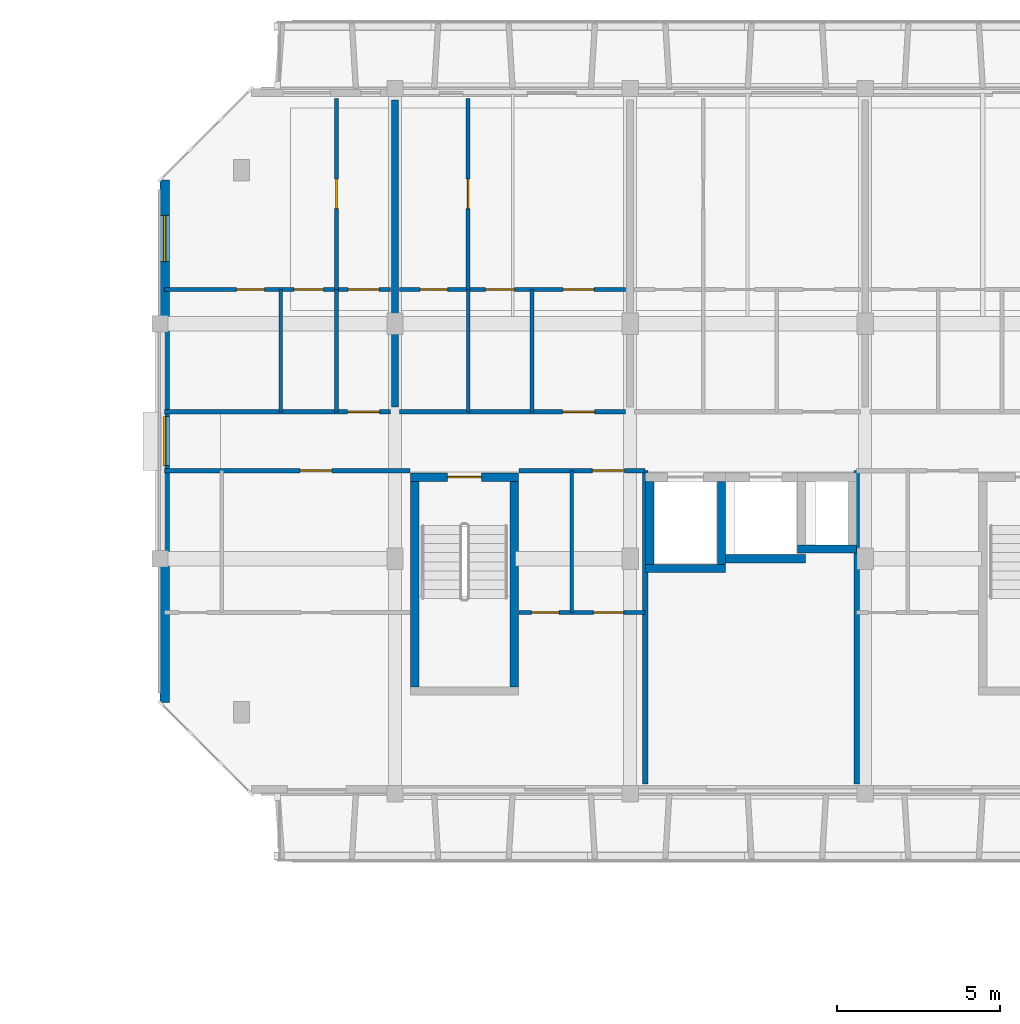
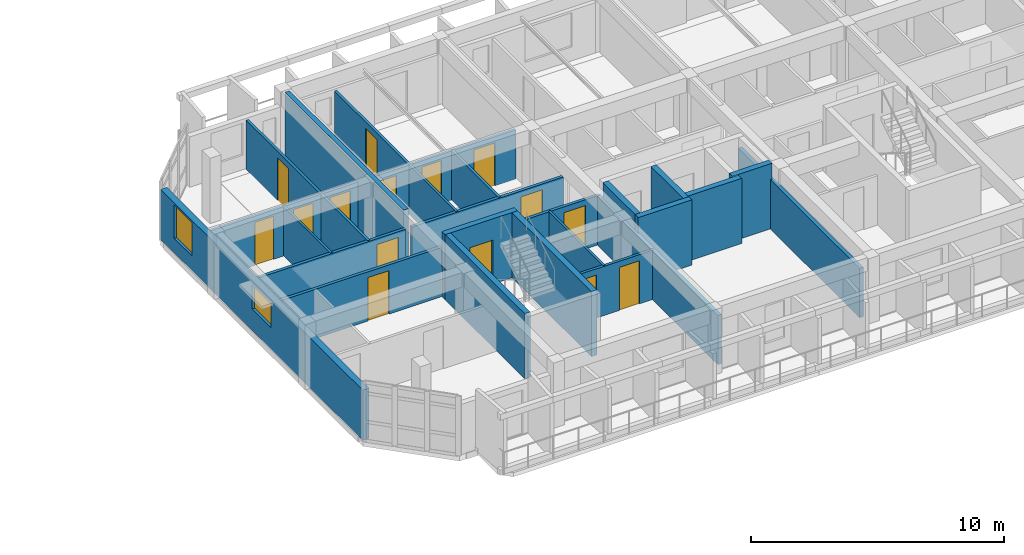
# One storey, part 28 of 46: 26 walls, 15 doors, 2 windows, 17 openings.
"""IFC4 building model written with IfcOpenShell, lengths in metres."""

from ifc_helpers import new_model, si_unit, direction, frame, frame_2d, origin, place, context, subcontext, project, spatial, rectangle, extrude, material, layer, layer_set, type_object, element, fill, save


model = new_model("IFC4")

# Units and contexts
model_context = context("Model", 3, precision=1e-05, world=origin(), true_north=direction((0.0, 1.0)))
body_context = subcontext(model_context, "Body", "Model", "MODEL_VIEW")
ifc_project = project(units=[si_unit("LENGTHUNIT", "METRE"), si_unit("AREAUNIT", "SQUARE_METRE"), si_unit("VOLUMEUNIT", "CUBIC_METRE"), si_unit("PLANEANGLEUNIT", "RADIAN"), si_unit("MASSUNIT", "GRAM", prefix="KILO")], contexts=[model_context])

# Site, building, storey
site_placement = place(None, origin())
site = spatial("IfcSite", under=ifc_project, at=site_placement, CompositionType="ELEMENT")
building_placement = place(site_placement, origin())
building = spatial("IfcBuilding", under=site, at=building_placement, Name="Ochrevale Crest", CompositionType="ELEMENT")
storey_placement = place(building_placement, frame((0.0, 0.0, 24.449951171875)))
storey = spatial("IfcBuildingStorey", under=building, at=storey_placement, Name="L07", CompositionType="ELEMENT", Elevation=24.449951171875)

# Wall, opening, door
ifc_material_1 = material(Name="Gypsum plasterboard", Category="gypsum")
ifc_layer_1 = layer(ifc_material_1, 0.139892578125)
ifc_layer_set_1 = layer_set([ifc_layer_1], Name="Gypsum plasterboard")
wall_type_1 = type_object("IfcWallType", Name="WL-COR-140", PredefinedType="PARTITIONING", material=ifc_layer_set_1)
wall_1_placement = place(storey_placement, frame((129.739990234375, 83.699951171875, 0.0), z_axis=(0.0, 0.0, 1.0), x_axis=(1.0, 0.0, 0.0)))
wall_1 = element("IfcWall", 1, at=wall_1_placement, inside=storey, type_object=wall_type_1, Name="Apartment D-L07-U1 corridor wall", PredefinedType="PARTITIONING", context=body_context, shape_type="SweptSolid", body=[
    extrude(rectangle(XDim=6.919921875, YDim=0.139892578125, at=frame_2d((3.4599609375, 0.0))), origin(), (0.0, 0.0, 1.0), 2.380126953125),
])
opening_1_placement = place(wall_1_placement, frame((6.5849609375, 0.0, 0.0), z_axis=(0.0, 0.0, 1.0), x_axis=(-1.0, 0.0, 0.0)))
opening_1 = element("IfcOpeningElement", 2, at=opening_1_placement, cuts=wall_1, Name="Opening FD01", PredefinedType="OPENING", context=body_context, shape_type="SweptSolid", body=[
    extrude(rectangle(XDim=0.97998046875, YDim=2.10009765625, at=frame_2d((0.489990234375, 1.050048828125))), frame((0.0, 0.080078125, 0.0), z_axis=(0.0, -1.0, 0.0), x_axis=(1.0, 0.0, 0.0)), (0.0, 0.0, 1.0), 0.159912109375),
])
ifc_material_2 = material(Name="Solid-core FSC hardwood", Category="wood")
door_type_1 = type_object("IfcDoorType", Name="DR-APT-950", OperationType="NOTDEFINED", PredefinedType="DOOR", material=ifc_material_2)
door_1_placement = place(opening_1_placement, origin())
door_1 = element("IfcDoor", 3, at=door_1_placement, inside=storey, type_object=door_type_1, Name="Apartment D-L07-U1 entrance door", OperationType="SINGLE_SWING_RIGHT", OverallHeight=2.10009765625, OverallWidth=0.97998046875, PredefinedType="DOOR", context=body_context, shape_type="SweptSolid", body=[
    extrude(rectangle(XDim=0.97998046875, YDim=2.10009765625, at=frame_2d((0.489990234375, 1.050048828125))), frame((0.0, 0.02490234375, 0.0), z_axis=(0.0, -1.0, 0.0), x_axis=(1.0, 0.0, 0.0)), (0.0, 0.0, 1.0), 0.050048828125),
])
fill(opening_1, door_1)

wall_2_placement = place(storey_placement, frame((136.93994140625, 83.699951171875, 0.0), z_axis=(0.0, 0.0, 1.0), x_axis=(1.0, 0.0, 0.0)))
wall_2 = element("IfcWall", 4, at=wall_2_placement, inside=storey, type_object=wall_type_1, Name="Apartment D-L07-U2 corridor wall", PredefinedType="PARTITIONING", context=body_context, shape_type="SweptSolid", body=[
    extrude(rectangle(XDim=6.920166015625, YDim=0.139892578125, at=frame_2d((3.4599609375, 0.0))), origin(), (0.0, 0.0, 1.0), 2.380126953125),
])
opening_2_placement = place(wall_2_placement, frame((4.9951171875, 0.0, 0.0)))
opening_2 = element("IfcOpeningElement", 5, at=opening_2_placement, cuts=wall_2, Name="Opening FD01", PredefinedType="OPENING", context=body_context, shape_type="SweptSolid", body=[
    extrude(rectangle(XDim=0.97998046875, YDim=2.10009765625, at=frame_2d((0.489990234375, 1.050048828125))), frame((0.0, 0.080078125, 0.0), z_axis=(0.0, -1.0, 0.0), x_axis=(1.0, 0.0, 0.0)), (0.0, 0.0, 1.0), 0.159912109375),
])
door_2_placement = place(opening_2_placement, origin())
door_2 = element("IfcDoor", 6, at=door_2_placement, inside=storey, type_object=door_type_1, Name="Apartment D-L07-U2 entrance door", OperationType="SINGLE_SWING_LEFT", OverallHeight=2.10009765625, OverallWidth=0.97998046875, PredefinedType="DOOR", context=body_context, shape_type="SweptSolid", body=[
    extrude(rectangle(XDim=0.97998046875, YDim=2.10009765625, at=frame_2d((0.489990234375, 1.050048828125))), frame((0.0, 0.02490234375, 0.0), z_axis=(0.0, -1.0, 0.0), x_axis=(1.0, 0.0, 0.0)), (0.0, 0.0, 1.0), 0.050048828125),
])
fill(opening_2, door_2)

wall_3_placement = place(storey_placement, frame((129.739990234375, 81.89990234375, 0.0), z_axis=(0.0, 0.0, 1.0), x_axis=(1.0, 0.0, 0.0)))
wall_3 = element("IfcWall", 7, at=wall_3_placement, inside=storey, type_object=wall_type_1, Name="Suite D-L07-CW corridor wall", PredefinedType="PARTITIONING", context=body_context, shape_type="SweptSolid", body=[
    extrude(rectangle(XDim=7.52001953125, YDim=0.139892578125, at=frame_2d((3.760009765625, 0.0))), origin(), (0.0, 0.0, 1.0), 2.380126953125),
])
opening_3_placement = place(wall_3_placement, frame((5.125, 0.0, 0.0), z_axis=(0.0, 0.0, 1.0), x_axis=(-1.0, 0.0, 0.0)))
opening_3 = element("IfcOpeningElement", 8, at=opening_3_placement, cuts=wall_3, Name="Opening FD01", PredefinedType="OPENING", context=body_context, shape_type="SweptSolid", body=[
    extrude(rectangle(XDim=0.97998046875, YDim=2.10009765625, at=frame_2d((0.489990234375, 1.050048828125))), frame((0.0, 0.080078125, 0.0), z_axis=(0.0, -1.0, 0.0), x_axis=(1.0, 0.0, 0.0)), (0.0, 0.0, 1.0), 0.159912109375),
])
door_3_placement = place(opening_3_placement, origin())
door_3 = element("IfcDoor", 9, at=door_3_placement, inside=storey, type_object=door_type_1, Name="Suite D-L07-CW entrance door", OperationType="SINGLE_SWING_RIGHT", OverallHeight=2.10009765625, OverallWidth=0.97998046875, PredefinedType="DOOR", context=body_context, shape_type="SweptSolid", body=[
    extrude(rectangle(XDim=0.97998046875, YDim=2.10009765625, at=frame_2d((0.489990234375, 1.050048828125))), frame((0.0, 0.02490234375, 0.0), z_axis=(0.0, -1.0, 0.0), x_axis=(1.0, 0.0, 0.0)), (0.0, 0.0, 1.0), 0.050048828125),
])
fill(opening_3, door_3)

wall_4_placement = place(storey_placement, frame((140.590087890625, 81.89990234375, 0.0), z_axis=(0.0, 0.0, 1.0), x_axis=(1.0, 0.0, 0.0)))
wall_4 = element("IfcWall", 10, at=wall_4_placement, inside=storey, type_object=wall_type_1, Name="Suite D-L07-MW corridor wall", PredefinedType="PARTITIONING", context=body_context, shape_type="SweptSolid", body=[
    extrude(rectangle(XDim=3.869873046875, YDim=0.139892578125, at=frame_2d((1.93505859375, 0.0))), origin(), (0.0, 0.0, 1.0), 2.380126953125),
])
opening_4_placement = place(wall_4_placement, frame((2.2578125, 0.0, 0.0)))
opening_4 = element("IfcOpeningElement", 11, at=opening_4_placement, cuts=wall_4, Name="Opening FD01", PredefinedType="OPENING", context=body_context, shape_type="SweptSolid", body=[
    extrude(rectangle(XDim=0.97998046875, YDim=2.10009765625, at=frame_2d((0.489990234375, 1.050048828125))), frame((0.0, 0.080078125, 0.0), z_axis=(0.0, -1.0, 0.0), x_axis=(1.0, 0.0, 0.0)), (0.0, 0.0, 1.0), 0.159912109375),
])
door_4_placement = place(opening_4_placement, origin())
door_4 = element("IfcDoor", 12, at=door_4_placement, inside=storey, type_object=door_type_1, Name="Suite D-L07-MW entrance door", OperationType="SINGLE_SWING_LEFT", OverallHeight=2.10009765625, OverallWidth=0.97998046875, PredefinedType="DOOR", context=body_context, shape_type="SweptSolid", body=[
    extrude(rectangle(XDim=0.97998046875, YDim=2.10009765625, at=frame_2d((0.489990234375, 1.050048828125))), frame((0.0, 0.02490234375, 0.0), z_axis=(0.0, -1.0, 0.0), x_axis=(1.0, 0.0, 0.0)), (0.0, 0.0, 1.0), 0.050048828125),
])
fill(opening_4, door_4)

ifc_material_3 = material(Name="Precast concrete C50/60", Category="concrete")
ifc_layer_2 = layer(ifc_material_3, 0.2548828125)
ifc_layer_set_2 = layer_set([ifc_layer_2], Name="Precast concrete C50/60")
wall_type_2 = type_object("IfcWallType", Name="WL-CORE-255", PredefinedType="SHEAR", material=ifc_layer_set_2)
wall_5_placement = place(storey_placement, frame((137.2724609375, 81.699951171875, 0.0), z_axis=(0.0, 0.0, 1.0), x_axis=(1.0, 0.0, 0.0)))
wall_5 = element("IfcWall", 13, at=wall_5_placement, inside=storey, type_object=wall_type_2, Name="Block D L07 Stair 1 precast core shear wall N", PredefinedType="SHEAR", context=body_context, shape_type="SweptSolid", body=[
    extrude(rectangle(XDim=3.304931640625, YDim=0.2548828125, at=frame_2d((1.65234375, 0.0))), origin(), (0.0, 0.0, 1.0), 3.150146484375),
])
opening_5_placement = place(wall_5_placement, frame((2.177490234375, 0.0, 0.0), z_axis=(0.0, 0.0, 1.0), x_axis=(-1.0, 0.0, 0.0)))
opening_5 = element("IfcOpeningElement", 14, at=opening_5_placement, cuts=wall_5, Name="Opening FD03", PredefinedType="OPENING", context=body_context, shape_type="SweptSolid", body=[
    extrude(rectangle(XDim=1.050048828125, YDim=2.1201171875, at=frame_2d((0.52490234375, 1.06005859375))), frame((0.0, 0.137451171875, 0.0), z_axis=(0.0, -1.0, 0.0), x_axis=(1.0, 0.0, 0.0)), (0.0, 0.0, 1.0), 0.27490234375),
])
door_type_2 = type_object("IfcDoorType", Name="DR-ST-1050", OperationType="NOTDEFINED", PredefinedType="DOOR", material=ifc_material_2)
door_5_placement = place(opening_5_placement, origin())
door_5 = element("IfcDoor", 15, at=door_5_placement, inside=storey, type_object=door_type_2, Name="Block D L07 fire stair 1 door", OperationType="SINGLE_SWING_RIGHT", OverallHeight=2.1201171875, OverallWidth=1.050048828125, PredefinedType="DOOR", context=body_context, shape_type="SweptSolid", body=[
    extrude(rectangle(XDim=1.050048828125, YDim=2.1201171875, at=frame_2d((0.52490234375, 1.06005859375))), frame((0.0, 0.02490234375, 0.0), z_axis=(0.0, -1.0, 0.0), x_axis=(1.0, 0.0, 0.0)), (0.0, 0.0, 1.0), 0.050048828125),
])
fill(opening_5, door_5)

# Walls
for number, where, z_axis, x_axis, name in (
    (16, (137.39990234375, 75.277587890625, 0.0), (0.0, 0.0, 1.0), (0.0, 1.0, 0.0), "Block D L07 Stair 1 precast core shear wall W"),
    (17, (140.449951171875, 75.277587890625, 0.0), (0.0, 0.0, 1.0), (0.0, 1.0, 0.0), "Block D L07 Stair 1 precast core shear wall E"),
):
    element("IfcWall", number, at=place(storey_placement, frame(where, z_axis=z_axis, x_axis=x_axis)), inside=storey, type_object=wall_type_2, Name=name, PredefinedType="SHEAR", context=body_context, shape_type="SweptSolid", body=[
        extrude(rectangle(XDim=6.294921875, YDim=0.2548828125, at=frame_2d((3.1474609375, 0.0))), origin(), (0.0, 0.0, 1.0), 3.150146484375),
    ])
wall_6_placement = place(storey_placement, frame((144.472412109375, 78.89990234375, 0.0), z_axis=(0.0, 0.0, 1.0), x_axis=(1.0, 0.0, 0.0)))
element("IfcWall", 18, at=wall_6_placement, inside=storey, type_object=wall_type_2, Name="Block D L07 Lift 1 precast shaft shear wall S", PredefinedType="SHEAR", context=body_context, shape_type="SweptSolid", body=[
    extrude(rectangle(XDim=2.455078125, YDim=0.2548828125, at=frame_2d((1.2275390625, 0.0))), origin(), (0.0, 0.0, 1.0), 3.150146484375),
])
for number, where, z_axis, x_axis, name in (
    (19, (144.60009765625, 79.027587890625, 0.0), (0.0, 0.0, 1.0), (0.0, 1.0, 0.0), "Block D L07 Lift 1 precast shaft shear wall W"),
    (20, (146.800048828125, 79.027587890625, 0.0), (0.0, 0.0, 1.0), (0.0, 1.0, 0.0), "Block D L07 Lift 1 precast shaft shear wall E"),
):
    element("IfcWall", number, at=place(storey_placement, frame(where, z_axis=z_axis, x_axis=x_axis)), inside=storey, type_object=wall_type_2, Name=name, PredefinedType="SHEAR", context=body_context, shape_type="SweptSolid", body=[
        extrude(rectangle(XDim=2.544921875, YDim=0.2548828125, at=frame_2d((1.2724609375, 0.0))), origin(), (0.0, 0.0, 1.0), 3.150146484375),
    ])
wall_7_placement = place(storey_placement, frame((146.922607421875, 79.199951171875, 0.0), z_axis=(0.0, 0.0, 1.0), x_axis=(1.0, 0.0, 0.0)))
element("IfcWall", 21, at=wall_7_placement, inside=storey, type_object=wall_type_2, Name="Block D L07 Lift 2 precast shaft shear wall S", PredefinedType="SHEAR", context=body_context, shape_type="SweptSolid", body=[
    extrude(rectangle(XDim=2.454833984375, YDim=0.2548828125, at=frame_2d((1.2275390625, 0.0))), origin(), (0.0, 0.0, 1.0), 3.150146484375),
])
wall_8_placement = place(storey_placement, frame((149.12255859375, 79.5, 0.0), z_axis=(0.0, 0.0, 1.0), x_axis=(1.0, 0.0, 0.0)))
element("IfcWall", 22, at=wall_8_placement, inside=storey, type_object=wall_type_2, Name="Block D L07 services riser shaft core wall S", PredefinedType="SHEAR", context=body_context, shape_type="SweptSolid", body=[
    extrude(rectangle(XDim=1.804931640625, YDim=0.2548828125, at=frame_2d((0.90234375, 0.0))), origin(), (0.0, 0.0, 1.0), 3.150146484375),
])

# Wall, openings, windows
ifc_material_4 = material(Name="Clay face brickwork", Category="masonry")
ifc_layer_3 = layer(ifc_material_4, 0.2900390625)
ifc_layer_set_3 = layer_set([ifc_layer_3], Name="Clay face brickwork")
wall_type_3 = type_object("IfcWallType", Name="WL-EXT-BRICK-290", PredefinedType="SOLIDWALL", material=ifc_layer_set_3)
wall_9_placement = place(storey_placement, frame((129.7451171875, 90.800048828125, 0.0), z_axis=(0.0, 0.0, 1.0), x_axis=(0.0, -1.0, 0.0)))
wall_9 = element("IfcWall", 23, at=wall_9_placement, inside=storey, type_object=wall_type_3, Name="Block D L07 external facade wall E7", PredefinedType="SOLIDWALL", context=body_context, shape_type="SweptSolid", body=[
    extrude(rectangle(XDim=16.0, YDim=0.2900390625, at=frame_2d((8.0, 0.0))), origin(), (0.0, 0.0, 1.0), 2.429931640625),
])
opening_6_placement = place(wall_9_placement, frame((7.25, 0.0, 1.050048828125)))
opening_6 = element("IfcOpeningElement", 24, at=opening_6_placement, cuts=wall_9, Name="Opening W18", PredefinedType="OPENING", context=body_context, shape_type="SweptSolid", body=[
    extrude(rectangle(XDim=1.5, YDim=1.14990234375, at=frame_2d((0.75, 0.574951171875))), frame((0.0, 0.155029296875, 0.0), z_axis=(0.0, -1.0, 0.0), x_axis=(1.0, 0.0, 0.0)), (0.0, 0.0, 1.0), 0.31005859375),
])
opening_7_placement = place(wall_9_placement, frame((1.080078125, 0.0, 0.719970703125)))
opening_7 = element("IfcOpeningElement", 25, at=opening_7_placement, cuts=wall_9, Name="Opening W31", PredefinedType="OPENING", context=body_context, shape_type="SweptSolid", body=[
    extrude(rectangle(XDim=1.419921875, YDim=1.60009765625, at=frame_2d((0.7099609375, 0.800048828125))), frame((0.0, 0.155029296875, 0.0), z_axis=(0.0, -1.0, 0.0), x_axis=(1.0, 0.0, 0.0)), (0.0, 0.0, 1.0), 0.31005859375),
])
ifc_material_5 = material(Name="Anodised aluminium 6063-T5 and low-E double glazing", Category="aluminium")
window_type_1 = type_object("IfcWindowType", Name="WIN-W18", PartitioningType="SINGLE_PANEL", PredefinedType="WINDOW", material=ifc_material_5)
window_1_placement = place(opening_6_placement, origin())
window_1 = element("IfcWindow", 26, at=window_1_placement, inside=storey, type_object=window_type_1, Name="Block D L07 corridor end daylight window W", OverallHeight=1.14990234375, OverallWidth=1.5, PartitioningType="SINGLE_PANEL", PredefinedType="WINDOW", context=body_context, shape_type="SweptSolid", body=[
    extrude(rectangle(XDim=1.5, YDim=1.14990234375, at=frame_2d((0.75, 0.574951171875))), frame((0.0, 0.030029296875, 0.0), z_axis=(0.0, -1.0, 0.0), x_axis=(1.0, 0.0, 0.0)), (0.0, 0.0, 1.0), 0.06005859375),
])
fill(opening_6, window_1)
window_type_2 = type_object("IfcWindowType", Name="WIN-W31", PartitioningType="SINGLE_PANEL", PredefinedType="WINDOW", material=ifc_material_5)
window_2_placement = place(opening_7_placement, origin())
window_2 = element("IfcWindow", 27, at=window_2_placement, inside=storey, type_object=window_type_2, Name="Block D L07 side suite window W", OverallHeight=1.60009765625, OverallWidth=1.419921875, PartitioningType="SINGLE_PANEL", PredefinedType="WINDOW", context=body_context, shape_type="SweptSolid", body=[
    extrude(rectangle(XDim=1.419921875, YDim=1.60009765625, at=frame_2d((0.7099609375, 0.800048828125))), frame((0.0, 0.030029296875, 0.0), z_axis=(0.0, -1.0, 0.0), x_axis=(1.0, 0.0, 0.0)), (0.0, 0.0, 1.0), 0.06005859375),
])
fill(opening_7, window_2)

# Wall
ifc_layer_4 = layer(ifc_material_1, 0.1201171875)
ifc_layer_set_4 = layer_set([ifc_layer_4], Name="Gypsum plasterboard")
wall_type_4 = type_object("IfcWallType", Name="WL-PART-120", PredefinedType="PARTITIONING", material=ifc_layer_set_4)
wall_10_placement = place(storey_placement, frame((135.010009765625, 83.699951171875, 0.0), z_axis=(0.0, 0.0, 1.0), x_axis=(0.0, 1.0, 0.0)))
element("IfcWall", 28, at=wall_10_placement, inside=storey, type_object=wall_type_4, Name="Apartment D-L07-U1 kitchen-foyer wall", PredefinedType="PARTITIONING", context=body_context, shape_type="SweptSolid", body=[
    extrude(rectangle(XDim=3.75, YDim=0.1201171875, at=frame_2d((1.875, 0.0))), origin(), (0.0, 0.0, 1.0), 2.380126953125),
])

# Wall, openings, doors
wall_11_placement = place(storey_placement, frame((129.739990234375, 87.449951171875, 0.0), z_axis=(0.0, 0.0, 1.0), x_axis=(1.0, 0.0, 0.0)))
wall_11 = element("IfcWall", 29, at=wall_11_placement, inside=storey, type_object=wall_type_4, Name="Apartment D-L07-U1 central partition", PredefinedType="PARTITIONING", context=body_context, shape_type="SweptSolid", body=[
    extrude(rectangle(XDim=6.919921875, YDim=0.1201171875, at=frame_2d((3.4599609375, 0.0))), origin(), (0.0, 0.0, 1.0), 2.380126953125),
])
opening_8_placement = place(wall_11_placement, frame((2.2099609375, 0.0, 0.0)))
opening_8 = element("IfcOpeningElement", 30, at=opening_8_placement, cuts=wall_11, Name="Opening ID01", PredefinedType="OPENING", context=body_context, shape_type="SweptSolid", body=[
    extrude(rectangle(XDim=0.85009765625, YDim=2.080078125, at=frame_2d((0.425048828125, 1.0400390625))), frame((0.0, 0.070068359375, 0.0), z_axis=(0.0, -1.0, 0.0), x_axis=(1.0, 0.0, 0.0)), (0.0, 0.0, 1.0), 0.14013671875),
])
opening_9_placement = place(wall_11_placement, frame((4.864990234375, 0.0, 0.0), z_axis=(0.0, 0.0, 1.0), x_axis=(-1.0, 0.0, 0.0)))
opening_9 = element("IfcOpeningElement", 31, at=opening_9_placement, cuts=wall_11, Name="Opening ID02", PredefinedType="OPENING", context=body_context, shape_type="SweptSolid", body=[
    extrude(rectangle(XDim=0.89990234375, YDim=2.080078125, at=frame_2d((0.449951171875, 1.0400390625))), frame((0.0, 0.070068359375, 0.0), z_axis=(0.0, -1.0, 0.0), x_axis=(1.0, 0.0, 0.0)), (0.0, 0.0, 1.0), 0.14013671875),
])
opening_10_placement = place(wall_11_placement, frame((5.6201171875, 0.0, 0.0)))
opening_10 = element("IfcOpeningElement", 32, at=opening_10_placement, cuts=wall_11, Name="Opening ID06", PredefinedType="OPENING", context=body_context, shape_type="SweptSolid", body=[
    extrude(rectangle(XDim=0.949951171875, YDim=2.080078125, at=frame_2d((0.47509765625, 1.0400390625))), frame((0.0, 0.070068359375, 0.0), z_axis=(0.0, -1.0, 0.0), x_axis=(1.0, 0.0, 0.0)), (0.0, 0.0, 1.0), 0.14013671875),
])
door_type_3 = type_object("IfcDoorType", Name="DR-INT-900", OperationType="NOTDEFINED", PredefinedType="DOOR", material=ifc_material_2)
door_6_placement = place(opening_9_placement, origin())
door_6 = element("IfcDoor", 33, at=door_6_placement, inside=storey, type_object=door_type_3, Name="Apartment D-L07-U1 Kitchen door", OperationType="SINGLE_SWING_RIGHT", OverallHeight=2.080078125, OverallWidth=0.89990234375, PredefinedType="DOOR", context=body_context, shape_type="SweptSolid", body=[
    extrude(rectangle(XDim=0.89990234375, YDim=2.080078125, at=frame_2d((0.449951171875, 1.0400390625))), frame((0.0, 0.02490234375, 0.0), z_axis=(0.0, -1.0, 0.0), x_axis=(1.0, 0.0, 0.0)), (0.0, 0.0, 1.0), 0.050048828125),
])
fill(opening_9, door_6)
door_type_4 = type_object("IfcDoorType", Name="DR-INT-950", OperationType="NOTDEFINED", PredefinedType="DOOR", material=ifc_material_2)
door_7_placement = place(opening_10_placement, origin())
door_7 = element("IfcDoor", 34, at=door_7_placement, inside=storey, type_object=door_type_4, Name="Apartment D-L07-U1 Living Foyer door", OperationType="SINGLE_SWING_LEFT", OverallHeight=2.080078125, OverallWidth=0.949951171875, PredefinedType="DOOR", context=body_context, shape_type="SweptSolid", body=[
    extrude(rectangle(XDim=0.949951171875, YDim=2.080078125, at=frame_2d((0.47509765625, 1.0400390625))), frame((0.0, 0.02490234375, 0.0), z_axis=(0.0, -1.0, 0.0), x_axis=(1.0, 0.0, 0.0)), (0.0, 0.0, 1.0), 0.050048828125),
])
fill(opening_10, door_7)
door_type_5 = type_object("IfcDoorType", Name="DR-WC-850", OperationType="NOTDEFINED", PredefinedType="DOOR", material=ifc_material_2)
door_8_placement = place(opening_8_placement, origin())
door_8 = element("IfcDoor", 35, at=door_8_placement, inside=storey, type_object=door_type_5, Name="Apartment D-L07-U1 Bathroom door", OperationType="SINGLE_SWING_LEFT", OverallHeight=2.080078125, OverallWidth=0.85009765625, PredefinedType="DOOR", context=body_context, shape_type="SweptSolid", body=[
    extrude(rectangle(XDim=0.85009765625, YDim=2.080078125, at=frame_2d((0.425048828125, 1.0400390625))), frame((0.0, 0.02490234375, 0.0), z_axis=(0.0, -1.0, 0.0), x_axis=(1.0, 0.0, 0.0)), (0.0, 0.0, 1.0), 0.050048828125),
])
fill(opening_8, door_8)

# Wall, opening, door
wall_12_placement = place(storey_placement, frame((135.010009765625, 87.449951171875, 0.0), z_axis=(0.0, 0.0, 1.0), x_axis=(0.0, 1.0, 0.0)))
wall_12 = element("IfcWall", 36, at=wall_12_placement, inside=storey, type_object=wall_type_4, Name="Apartment D-L07-U1 bedroom partition", PredefinedType="PARTITIONING", context=body_context, shape_type="SweptSolid", body=[
    extrude(rectangle(XDim=5.85009765625, YDim=0.1201171875, at=frame_2d((2.925048828125, 0.0))), origin(), (0.0, 0.0, 1.0), 2.380126953125),
])
opening_11_placement = place(wall_12_placement, frame((3.375, 0.0, 0.0), z_axis=(0.0, 0.0, 1.0), x_axis=(-1.0, 0.0, 0.0)))
opening_11 = element("IfcOpeningElement", 37, at=opening_11_placement, cuts=wall_12, Name="Opening ID02", PredefinedType="OPENING", context=body_context, shape_type="SweptSolid", body=[
    extrude(rectangle(XDim=0.89990234375, YDim=2.080078125, at=frame_2d((0.449951171875, 1.0400390625))), frame((0.0, 0.070068359375, 0.0), z_axis=(0.0, -1.0, 0.0), x_axis=(1.0, 0.0, 0.0)), (0.0, 0.0, 1.0), 0.14013671875),
])
door_9_placement = place(opening_11_placement, origin())
door_9 = element("IfcDoor", 38, at=door_9_placement, inside=storey, type_object=door_type_3, Name="Apartment D-L07-U1 Master Bedroom door", OperationType="SINGLE_SWING_RIGHT", OverallHeight=2.080078125, OverallWidth=0.89990234375, PredefinedType="DOOR", context=body_context, shape_type="SweptSolid", body=[
    extrude(rectangle(XDim=0.89990234375, YDim=2.080078125, at=frame_2d((0.449951171875, 1.0400390625))), frame((0.0, 0.02490234375, 0.0), z_axis=(0.0, -1.0, 0.0), x_axis=(1.0, 0.0, 0.0)), (0.0, 0.0, 1.0), 0.050048828125),
])
fill(opening_11, door_9)

# Wall
wall_13_placement = place(storey_placement, frame((140.989990234375, 83.699951171875, 0.0), z_axis=(0.0, 0.0, 1.0), x_axis=(0.0, 1.0, 0.0)))
element("IfcWall", 39, at=wall_13_placement, inside=storey, type_object=wall_type_4, Name="Apartment D-L07-U2 kitchen-foyer wall", PredefinedType="PARTITIONING", context=body_context, shape_type="SweptSolid", body=[
    extrude(rectangle(XDim=3.75, YDim=0.1201171875, at=frame_2d((1.875, 0.0))), origin(), (0.0, 0.0, 1.0), 2.380126953125),
])

# Wall, openings, doors
wall_14_placement = place(storey_placement, frame((136.93994140625, 87.449951171875, 0.0), z_axis=(0.0, 0.0, 1.0), x_axis=(1.0, 0.0, 0.0)))
wall_14 = element("IfcWall", 40, at=wall_14_placement, inside=storey, type_object=wall_type_4, Name="Apartment D-L07-U2 central partition", PredefinedType="PARTITIONING", context=body_context, shape_type="SweptSolid", body=[
    extrude(rectangle(XDim=6.920166015625, YDim=0.1201171875, at=frame_2d((3.4599609375, 0.0))), origin(), (0.0, 0.0, 1.0), 2.380126953125),
])
opening_12_placement = place(wall_14_placement, frame((1.47509765625, 0.0, 0.0), z_axis=(0.0, 0.0, 1.0), x_axis=(-1.0, 0.0, 0.0)))
opening_12 = element("IfcOpeningElement", 41, at=opening_12_placement, cuts=wall_14, Name="Opening ID01", PredefinedType="OPENING", context=body_context, shape_type="SweptSolid", body=[
    extrude(rectangle(XDim=0.85009765625, YDim=2.080078125, at=frame_2d((0.425048828125, 1.0400390625))), frame((0.0, 0.070068359375, 0.0), z_axis=(0.0, -1.0, 0.0), x_axis=(1.0, 0.0, 0.0)), (0.0, 0.0, 1.0), 0.14013671875),
])
opening_13_placement = place(wall_14_placement, frame((2.625, 0.0, 0.0)))
opening_13 = element("IfcOpeningElement", 42, at=opening_13_placement, cuts=wall_14, Name="Opening ID02", PredefinedType="OPENING", context=body_context, shape_type="SweptSolid", body=[
    extrude(rectangle(XDim=0.89990234375, YDim=2.080078125, at=frame_2d((0.449951171875, 1.0400390625))), frame((0.0, 0.070068359375, 0.0), z_axis=(0.0, -1.0, 0.0), x_axis=(1.0, 0.0, 0.0)), (0.0, 0.0, 1.0), 0.14013671875),
])
opening_14_placement = place(wall_14_placement, frame((5.9599609375, 0.0, 0.0), z_axis=(0.0, 0.0, 1.0), x_axis=(-1.0, 0.0, 0.0)))
opening_14 = element("IfcOpeningElement", 43, at=opening_14_placement, cuts=wall_14, Name="Opening ID06", PredefinedType="OPENING", context=body_context, shape_type="SweptSolid", body=[
    extrude(rectangle(XDim=0.949951171875, YDim=2.080078125, at=frame_2d((0.47509765625, 1.0400390625))), frame((0.0, 0.070068359375, 0.0), z_axis=(0.0, -1.0, 0.0), x_axis=(1.0, 0.0, 0.0)), (0.0, 0.0, 1.0), 0.14013671875),
])
door_10_placement = place(opening_13_placement, origin())
door_10 = element("IfcDoor", 44, at=door_10_placement, inside=storey, type_object=door_type_3, Name="Apartment D-L07-U2 Kitchen door", OperationType="SINGLE_SWING_LEFT", OverallHeight=2.080078125, OverallWidth=0.89990234375, PredefinedType="DOOR", context=body_context, shape_type="SweptSolid", body=[
    extrude(rectangle(XDim=0.89990234375, YDim=2.080078125, at=frame_2d((0.449951171875, 1.0400390625))), frame((0.0, 0.02490234375, 0.0), z_axis=(0.0, -1.0, 0.0), x_axis=(1.0, 0.0, 0.0)), (0.0, 0.0, 1.0), 0.050048828125),
])
fill(opening_13, door_10)
door_11_placement = place(opening_14_placement, origin())
door_11 = element("IfcDoor", 45, at=door_11_placement, inside=storey, type_object=door_type_4, Name="Apartment D-L07-U2 Living Foyer door", OperationType="SINGLE_SWING_RIGHT", OverallHeight=2.080078125, OverallWidth=0.949951171875, PredefinedType="DOOR", context=body_context, shape_type="SweptSolid", body=[
    extrude(rectangle(XDim=0.949951171875, YDim=2.080078125, at=frame_2d((0.47509765625, 1.0400390625))), frame((0.0, 0.02490234375, 0.0), z_axis=(0.0, -1.0, 0.0), x_axis=(1.0, 0.0, 0.0)), (0.0, 0.0, 1.0), 0.050048828125),
])
fill(opening_14, door_11)
door_12_placement = place(opening_12_placement, origin())
door_12 = element("IfcDoor", 46, at=door_12_placement, inside=storey, type_object=door_type_5, Name="Apartment D-L07-U2 Bathroom door", OperationType="SINGLE_SWING_RIGHT", OverallHeight=2.080078125, OverallWidth=0.85009765625, PredefinedType="DOOR", context=body_context, shape_type="SweptSolid", body=[
    extrude(rectangle(XDim=0.85009765625, YDim=2.080078125, at=frame_2d((0.425048828125, 1.0400390625))), frame((0.0, 0.02490234375, 0.0), z_axis=(0.0, -1.0, 0.0), x_axis=(1.0, 0.0, 0.0)), (0.0, 0.0, 1.0), 0.050048828125),
])
fill(opening_12, door_12)

# Wall, opening, door
wall_15_placement = place(storey_placement, frame((139.0400390625, 87.449951171875, 0.0), z_axis=(0.0, 0.0, 1.0), x_axis=(0.0, 1.0, 0.0)))
wall_15 = element("IfcWall", 47, at=wall_15_placement, inside=storey, type_object=wall_type_4, Name="Apartment D-L07-U2 bedroom partition", PredefinedType="PARTITIONING", context=body_context, shape_type="SweptSolid", body=[
    extrude(rectangle(XDim=5.85009765625, YDim=0.1201171875, at=frame_2d((2.925048828125, 0.0))), origin(), (0.0, 0.0, 1.0), 2.380126953125),
])
opening_15_placement = place(wall_15_placement, frame((2.47509765625, 0.0, 0.0)))
opening_15 = element("IfcOpeningElement", 48, at=opening_15_placement, cuts=wall_15, Name="Opening ID02", PredefinedType="OPENING", context=body_context, shape_type="SweptSolid", body=[
    extrude(rectangle(XDim=0.89990234375, YDim=2.080078125, at=frame_2d((0.449951171875, 1.0400390625))), frame((0.0, 0.070068359375, 0.0), z_axis=(0.0, -1.0, 0.0), x_axis=(1.0, 0.0, 0.0)), (0.0, 0.0, 1.0), 0.14013671875),
])
door_13_placement = place(opening_15_placement, origin())
door_13 = element("IfcDoor", 49, at=door_13_placement, inside=storey, type_object=door_type_3, Name="Apartment D-L07-U2 Master Bedroom door", OperationType="SINGLE_SWING_LEFT", OverallHeight=2.080078125, OverallWidth=0.89990234375, PredefinedType="DOOR", context=body_context, shape_type="SweptSolid", body=[
    extrude(rectangle(XDim=0.89990234375, YDim=2.080078125, at=frame_2d((0.449951171875, 1.0400390625))), frame((0.0, 0.02490234375, 0.0), z_axis=(0.0, -1.0, 0.0), x_axis=(1.0, 0.0, 0.0)), (0.0, 0.0, 1.0), 0.050048828125),
])
fill(opening_15, door_13)

# Wall, openings, doors
wall_16_placement = place(storey_placement, frame((140.590087890625, 77.550048828125, 0.0), z_axis=(0.0, 0.0, 1.0), x_axis=(1.0, 0.0, 0.0)))
wall_16 = element("IfcWall", 50, at=wall_16_placement, inside=storey, type_object=wall_type_4, Name="Suite D-L07-MW internal wall", PredefinedType="PARTITIONING", context=body_context, shape_type="SweptSolid", body=[
    extrude(rectangle(XDim=3.869873046875, YDim=0.1201171875, at=frame_2d((1.93505859375, 0.0))), origin(), (0.0, 0.0, 1.0), 2.380126953125),
])
opening_16_placement = place(wall_16_placement, frame((1.23779296875, 0.0, 0.0), z_axis=(0.0, 0.0, 1.0), x_axis=(-1.0, 0.0, 0.0)))
opening_16 = element("IfcOpeningElement", 51, at=opening_16_placement, cuts=wall_16, Name="Opening ID01", PredefinedType="OPENING", context=body_context, shape_type="SweptSolid", body=[
    extrude(rectangle(XDim=0.85009765625, YDim=2.080078125, at=frame_2d((0.425048828125, 1.0400390625))), frame((0.0, 0.070068359375, 0.0), z_axis=(0.0, -1.0, 0.0), x_axis=(1.0, 0.0, 0.0)), (0.0, 0.0, 1.0), 0.14013671875),
])
opening_17_placement = place(wall_16_placement, frame((2.28759765625, 0.0, 0.0)))
opening_17 = element("IfcOpeningElement", 52, at=opening_17_placement, cuts=wall_16, Name="Opening ID04", PredefinedType="OPENING", context=body_context, shape_type="SweptSolid", body=[
    extrude(rectangle(XDim=0.919921875, YDim=2.080078125, at=frame_2d((0.4599609375, 1.0400390625))), frame((0.0, 0.070068359375, 0.0), z_axis=(0.0, -1.0, 0.0), x_axis=(1.0, 0.0, 0.0)), (0.0, 0.0, 1.0), 0.14013671875),
])
door_type_6 = type_object("IfcDoorType", Name="DR-INT-920", OperationType="NOTDEFINED", PredefinedType="DOOR", material=ifc_material_2)
door_14_placement = place(opening_17_placement, origin())
door_14 = element("IfcDoor", 53, at=door_14_placement, inside=storey, type_object=door_type_6, Name="Suite D-L07-MW Courtyard Studio Living door", OperationType="SINGLE_SWING_LEFT", OverallHeight=2.080078125, OverallWidth=0.919921875, PredefinedType="DOOR", context=body_context, shape_type="SweptSolid", body=[
    extrude(rectangle(XDim=0.919921875, YDim=2.080078125, at=frame_2d((0.4599609375, 1.0400390625))), frame((0.0, 0.02490234375, 0.0), z_axis=(0.0, -1.0, 0.0), x_axis=(1.0, 0.0, 0.0)), (0.0, 0.0, 1.0), 0.050048828125),
])
fill(opening_17, door_14)
door_15_placement = place(opening_16_placement, origin())
door_15 = element("IfcDoor", 54, at=door_15_placement, inside=storey, type_object=door_type_5, Name="Suite D-L07-MW Bathroom door", OperationType="SINGLE_SWING_RIGHT", OverallHeight=2.080078125, OverallWidth=0.85009765625, PredefinedType="DOOR", context=body_context, shape_type="SweptSolid", body=[
    extrude(rectangle(XDim=0.85009765625, YDim=2.080078125, at=frame_2d((0.425048828125, 1.0400390625))), frame((0.0, 0.02490234375, 0.0), z_axis=(0.0, -1.0, 0.0), x_axis=(1.0, 0.0, 0.0)), (0.0, 0.0, 1.0), 0.050048828125),
])
fill(opening_16, door_15)

# Walls
ifc_material_6 = material(Name="Precast concrete C40/50", Category="concrete")
ifc_layer_5 = layer(ifc_material_6, 0.2099609375)
ifc_layer_set_5 = layer_set([ifc_layer_5], Name="Precast concrete C40/50")
wall_type_5 = type_object("IfcWallType", Name="WL-SHEAR-210", PredefinedType="SHEAR", material=ifc_layer_set_5)
wall_17_placement = place(storey_placement, frame((136.800048828125, 83.85009765625, 0.0), z_axis=(0.0, 0.0, 1.0), x_axis=(0.0, 1.0, 0.0)))
element("IfcWall", 55, at=wall_17_placement, inside=storey, type_object=wall_type_5, Name="Block D L07 load-bearing precast cross-wall X=136.8", PredefinedType="SHEAR", context=body_context, shape_type="SweptSolid", body=[
    extrude(rectangle(XDim=9.39990234375, YDim=0.2099609375, at=frame_2d((4.699951171875, 0.0))), origin(), (0.0, 0.0, 1.0), 3.150146484375),
])
ifc_layer_6 = layer(ifc_material_1, 0.169921875)
ifc_layer_set_6 = layer_set([ifc_layer_6], Name="Gypsum plasterboard")
wall_type_6 = type_object("IfcWallType", Name="WL-TEN-170", PredefinedType="PARTITIONING", material=ifc_layer_set_6)
for number, where, z_axis, x_axis, name in (
    (56, (144.4599609375, 72.300048828125, 0.0), (0.0, 0.0, 1.0), (0.0, 1.0, 0.0), "Suite D-L07-MW east party wall"),
    (57, (150.93994140625, 72.300048828125, 0.0), (0.0, 0.0, 1.0), (0.0, 1.0, 0.0), "Suite D-L07-ME west party wall"),
):
    element("IfcWall", number, at=place(storey_placement, frame(where, z_axis=z_axis, x_axis=x_axis)), inside=storey, type_object=wall_type_6, Name=name, PredefinedType="PARTITIONING", context=body_context, shape_type="SweptSolid", body=[
        extrude(rectangle(XDim=9.599853515625, YDim=0.169921875, at=frame_2d((4.7998046875, 0.0))), origin(), (0.0, 0.0, 1.0), 2.380126953125),
    ])
ifc_layer_7 = layer(ifc_material_1, 0.10009765625)
ifc_layer_set_7 = layer_set([ifc_layer_7], Name="Gypsum plasterboard")
wall_type_7 = type_object("IfcWallType", Name="WL-WET-100", PredefinedType="PARTITIONING", material=ifc_layer_set_7)
for number, where, z_axis, x_axis, name in (
    (58, (133.300048828125, 83.699951171875, 0.0), (0.0, 0.0, 1.0), (0.0, 1.0, 0.0), "Apartment D-L07-U1 bath-kitchen wall"),
    (59, (139.0400390625, 83.699951171875, 0.0), (0.0, 0.0, 1.0), (0.0, 1.0, 0.0), "Apartment D-L07-U2 bath-kitchen wall"),
):
    element("IfcWall", number, at=place(storey_placement, frame(where, z_axis=z_axis, x_axis=x_axis)), inside=storey, type_object=wall_type_7, Name=name, PredefinedType="PARTITIONING", context=body_context, shape_type="SweptSolid", body=[
        extrude(rectangle(XDim=3.75, YDim=0.10009765625, at=frame_2d((1.875, 0.0))), origin(), (0.0, 0.0, 1.0), 2.380126953125),
    ])
wall_18_placement = place(storey_placement, frame((142.21533203125, 77.550048828125, 0.0), z_axis=(0.0, 0.0, 1.0), x_axis=(0.0, 1.0, 0.0)))
element("IfcWall", 60, at=wall_18_placement, inside=storey, type_object=wall_type_7, Name="Suite D-L07-MW bathroom divider", PredefinedType="PARTITIONING", context=body_context, shape_type="SweptSolid", body=[
    extrude(rectangle(XDim=4.349853515625, YDim=0.10009765625, at=frame_2d((2.1748046875, 0.0))), origin(), (0.0, 0.0, 1.0), 2.380126953125),
])

save(model, "model.ifc")
